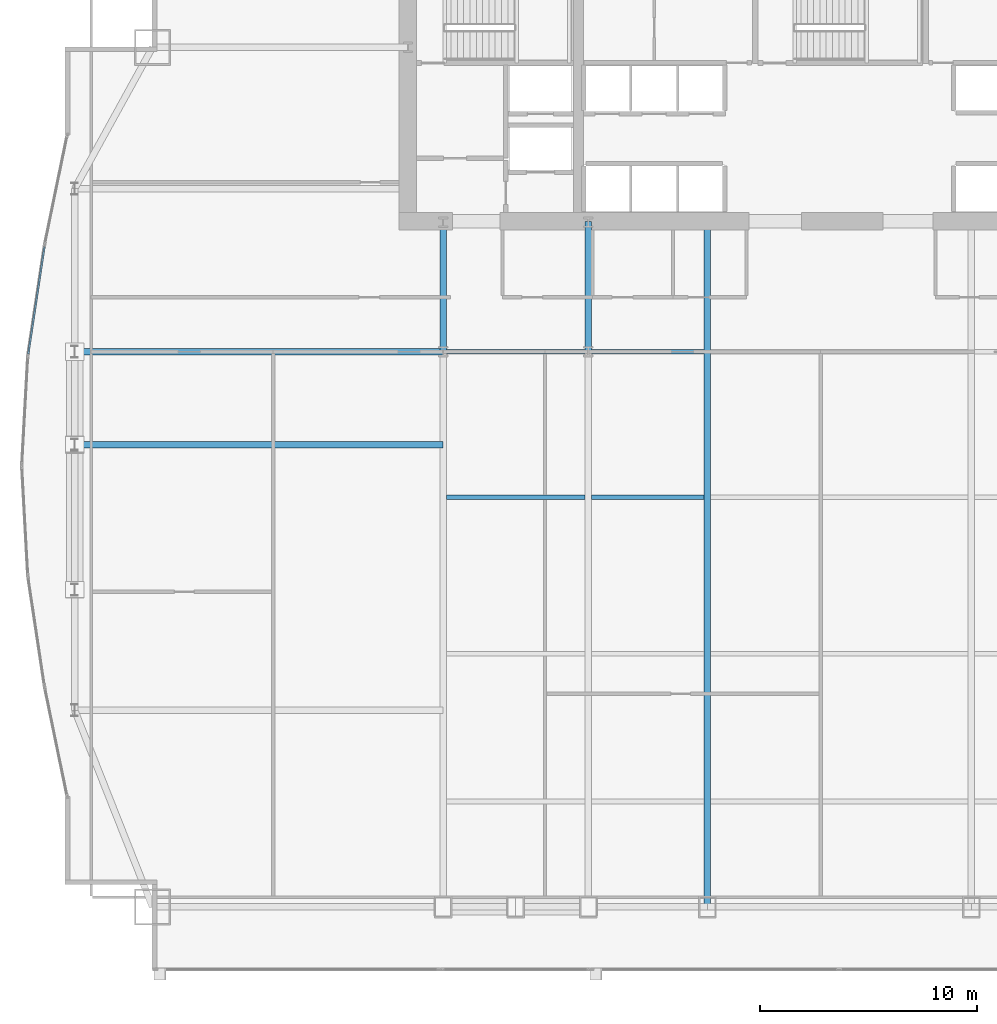
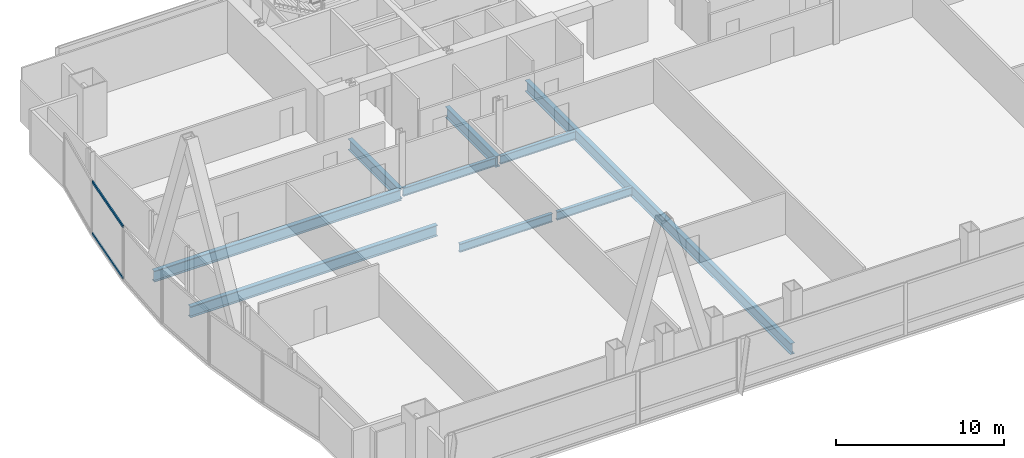
# One storey, part 11 of 36: 9 beams, 2 members, 1 element without a shape of its own.
"""IFC4 building model written with IfcOpenShell, lengths in metres."""

from ifc_helpers import new_model, si_unit, direction, frame, origin, origin_2d, place, context, subcontext, project, spatial, hollow_rectangle, i_section, extrude, material, material_profile, profile_set, type_object, element, aggregate, save


model = new_model("IFC4")

# Units and contexts
model_context = context("Model", 3, precision=1e-05, world=origin(), true_north=direction((0.0, 1.0)))
body_context = subcontext(model_context, "Body", "Model", "MODEL_VIEW")
ifc_project = project(units=[si_unit("LENGTHUNIT", "METRE"), si_unit("AREAUNIT", "SQUARE_METRE"), si_unit("VOLUMEUNIT", "CUBIC_METRE"), si_unit("PLANEANGLEUNIT", "RADIAN"), si_unit("MASSUNIT", "GRAM", prefix="KILO")], contexts=[model_context])

# Site, building, storey
site_placement = place(None, origin())
site = spatial("IfcSite", under=ifc_project, at=site_placement, CompositionType="ELEMENT")
building_placement = place(site_placement, origin())
building = spatial("IfcBuilding", under=site, at=building_placement, Name="Khoronbel Lancet Exchange", CompositionType="ELEMENT")
storey_placement = place(building_placement, frame((0.0, 0.0, 49.800048828125)))
storey = spatial("IfcBuildingStorey", under=building, at=storey_placement, Name="L11", CompositionType="ELEMENT", Elevation=49.800048828125)

# Beams
ifc_material_1 = material(Name="Steel S355", Category="steel")
ifc_material_profile_1 = material_profile(ifc_material_1, i_section(OverallWidth=0.300048828125, OverallDepth=0.800048828125, WebThickness=0.017578125, FlangeThickness=0.032958984375, at=origin_2d()), Name="HEB 800")
ifc_profile_set_1 = profile_set([ifc_material_profile_1], Name="Steel S355")
beam_type_1 = type_object("IfcBeamType", Name="BM-BG2", PredefinedType="BEAM", material=ifc_profile_set_1)
for number, where, z_axis, x_axis, name in (
    (1, (18.22509765625, 35.699951171875, -0.580078125), (0.0, 1.0, 0.0), (-1.0, 0.0, 0.0), "Level L11 spine tie girder GN1"),
    (2, (24.89990234375, 35.699951171875, -0.580078125), (0.0, 1.0, 0.0), (-1.0, 0.0, 0.0), "Level L11 spine tie girder GN2"),
):
    element("IfcBeam", number, at=place(storey_placement, frame(where, z_axis=z_axis, x_axis=x_axis)), inside=storey, type_object=beam_type_1, Name=name, PredefinedType="BEAM", context=body_context, shape_type="SweptSolid", body=[
        extrude(i_section(OverallWidth=0.300048828125, OverallDepth=0.800048828125, WebThickness=0.017578125, FlangeThickness=0.032958984375, at=origin_2d()), origin(), (0.0, 0.0, 1.0), 6.0),
    ])
beam_1_placement = place(storey_placement, frame((30.375, 10.14990234375, -0.580078125), z_axis=(0.0, 1.0, 0.0), x_axis=(-1.0, 0.0, 0.0)))
element("IfcBeam", 3, at=beam_1_placement, inside=storey, type_object=beam_type_1, Name="Level L11 primary floor girder G3", PredefinedType="BEAM", context=body_context, shape_type="SweptSolid", body=[
    extrude(i_section(OverallWidth=0.300048828125, OverallDepth=0.800048828125, WebThickness=0.017578125, FlangeThickness=0.032958984375, at=origin_2d()), origin(), (0.0, 0.0, 1.0), 31.550048828125),
])
for number, where, z_axis, x_axis, name in (
    (4, (1.27001953125, 31.425048828125, -0.580078125), (1.0, 0.0, 0.0), (0.0, 1.0, 0.0), "Level L11 west lens tie girder LG2W"),
    (5, (1.27001953125, 35.699951171875, -0.580078125), (1.0, 0.0, 0.0), (0.0, 1.0, 0.0), "Level L11 west lens tie girder LG4W"),
):
    element("IfcBeam", number, at=place(storey_placement, frame(where, z_axis=z_axis, x_axis=x_axis)), inside=storey, type_object=beam_type_1, Name=name, PredefinedType="BEAM", context=body_context, shape_type="SweptSolid", body=[
        extrude(i_section(OverallWidth=0.300048828125, OverallDepth=0.800048828125, WebThickness=0.017578125, FlangeThickness=0.032958984375, at=origin_2d()), origin(), (0.0, 0.0, 1.0), 16.955078125),
    ])
ifc_material_profile_2 = material_profile(ifc_material_1, i_section(OverallWidth=0.219970703125, OverallDepth=0.60009765625, WebThickness=0.011962890625, FlangeThickness=0.01904296875, at=origin_2d()), Name="IPE 600")
ifc_profile_set_2 = profile_set([ifc_material_profile_2], Name="Steel S355")
beam_type_2 = type_object("IfcBeamType", Name="BM-BJ1", PredefinedType="JOIST", material=ifc_profile_set_2)
beam_2_placement = place(storey_placement, frame((18.375, 29.0, -0.47998046875), z_axis=(1.0, 0.0, 0.0), x_axis=(0.0, 1.0, 0.0)))
element("IfcBeam", 6, at=beam_2_placement, inside=storey, type_object=beam_type_2, Name="Level L11 secondary composite joist J11", PredefinedType="JOIST", context=body_context, shape_type="SweptSolid", body=[
    extrude(i_section(OverallWidth=0.219970703125, OverallDepth=0.60009765625, WebThickness=0.011962890625, FlangeThickness=0.01904296875, at=origin_2d()), origin(), (0.0, 0.0, 1.0), 6.375),
])
beam_3_placement = place(storey_placement, frame((25.050048828125, 29.0, -0.47998046875), z_axis=(1.0, 0.0, 0.0), x_axis=(0.0, 1.0, 0.0)))
element("IfcBeam", 7, at=beam_3_placement, inside=storey, type_object=beam_type_2, Name="Level L11 secondary composite joist J12", PredefinedType="JOIST", context=body_context, shape_type="SweptSolid", body=[
    extrude(i_section(OverallWidth=0.219970703125, OverallDepth=0.60009765625, WebThickness=0.011962890625, FlangeThickness=0.01904296875, at=origin_2d()), origin(), (0.0, 0.0, 1.0), 5.175048828125),
])
beam_4_placement = place(storey_placement, frame((18.375, 35.699951171875, -0.47998046875), z_axis=(1.0, 0.0, 0.0), x_axis=(0.0, 1.0, 0.0)))
element("IfcBeam", 8, at=beam_4_placement, inside=storey, type_object=beam_type_2, Name="Level L11 secondary composite joist J16", PredefinedType="JOIST", context=body_context, shape_type="SweptSolid", body=[
    extrude(i_section(OverallWidth=0.219970703125, OverallDepth=0.60009765625, WebThickness=0.011962890625, FlangeThickness=0.01904296875, at=origin_2d()), origin(), (0.0, 0.0, 1.0), 6.375),
])
beam_5_placement = place(storey_placement, frame((25.050048828125, 35.699951171875, -0.47998046875), z_axis=(1.0, 0.0, 0.0), x_axis=(0.0, 1.0, 0.0)))
element("IfcBeam", 9, at=beam_5_placement, inside=storey, type_object=beam_type_2, Name="Level L11 secondary composite joist J17", PredefinedType="JOIST", context=body_context, shape_type="SweptSolid", body=[
    extrude(i_section(OverallWidth=0.219970703125, OverallDepth=0.60009765625, WebThickness=0.011962890625, FlangeThickness=0.01904296875, at=origin_2d()), origin(), (0.0, 0.0, 1.0), 5.175048828125),
])

# Curtain wall, members
ifc_material_2 = material(Name="Low-E Solar Control Insulating Glass", Category="glass")
curtain_wall_type = type_object("IfcCurtainWallType", Name="CW-4", PredefinedType="NOTDEFINED", material=ifc_material_2)
curtain_wall_placement = place(storey_placement, origin())
curtain_wall = element("IfcCurtainWall", 10, at=curtain_wall_placement, inside=storey, type_object=curtain_wall_type, Name="Unitised curtain wall CW-L11-E08", PredefinedType="NOTDEFINED")
ifc_material_3 = material(Name="Bronze-Anodised Aluminium 6063-T6", Category="aluminium")
ifc_material_profile_3 = material_profile(ifc_material_3, hollow_rectangle(XDim=0.0849609375, YDim=0.179931640625, WallThickness=0.0048828125, at=origin_2d()), Name="ALU TRANSOM 85x180")
ifc_profile_set_3 = profile_set([ifc_material_profile_3], Name="Bronze-Anodised Aluminium 6063-T6")
member_type = type_object("IfcMemberType", Name="MEM-CWT1", PredefinedType="USERDEFINED", material=ifc_profile_set_3)
member_1_placement = place(storey_placement, frame((-0.864501953125, 35.59814453125, 0.04248046875), z_axis=(0.149240946072, 0.988800859635, 0.0), x_axis=(-0.988800859635, 0.149240946072, 0.0)))
member_1 = element("IfcMember", 11, at=member_1_placement, type_object=member_type, Name="CW4 transom 1.1", ObjectType="TRANSOM", PredefinedType="USERDEFINED", context=body_context, shape_type="SweptSolid", body=[
    extrude(hollow_rectangle(XDim=0.0849609375, YDim=0.179931640625, WallThickness=0.0048828125, at=origin_2d()), origin(), (0.0, 0.0, 1.0), 4.984619140625),
])
member_2_placement = place(storey_placement, frame((-0.864501953125, 35.59814453125, 3.77734375), z_axis=(0.149240946072, 0.988800859635, 0.0), x_axis=(-0.988800859635, 0.149240946072, 0.0)))
member_2 = element("IfcMember", 12, at=member_2_placement, type_object=member_type, Name="CW4 transom 1.2", ObjectType="TRANSOM", PredefinedType="USERDEFINED", context=body_context, shape_type="SweptSolid", body=[
    extrude(hollow_rectangle(XDim=0.0849609375, YDim=0.179931640625, WallThickness=0.0048828125, at=origin_2d()), origin(), (0.0, 0.0, 1.0), 4.984619140625),
])
aggregate(curtain_wall, [member_1, member_2])

save(model, "model.ifc")
